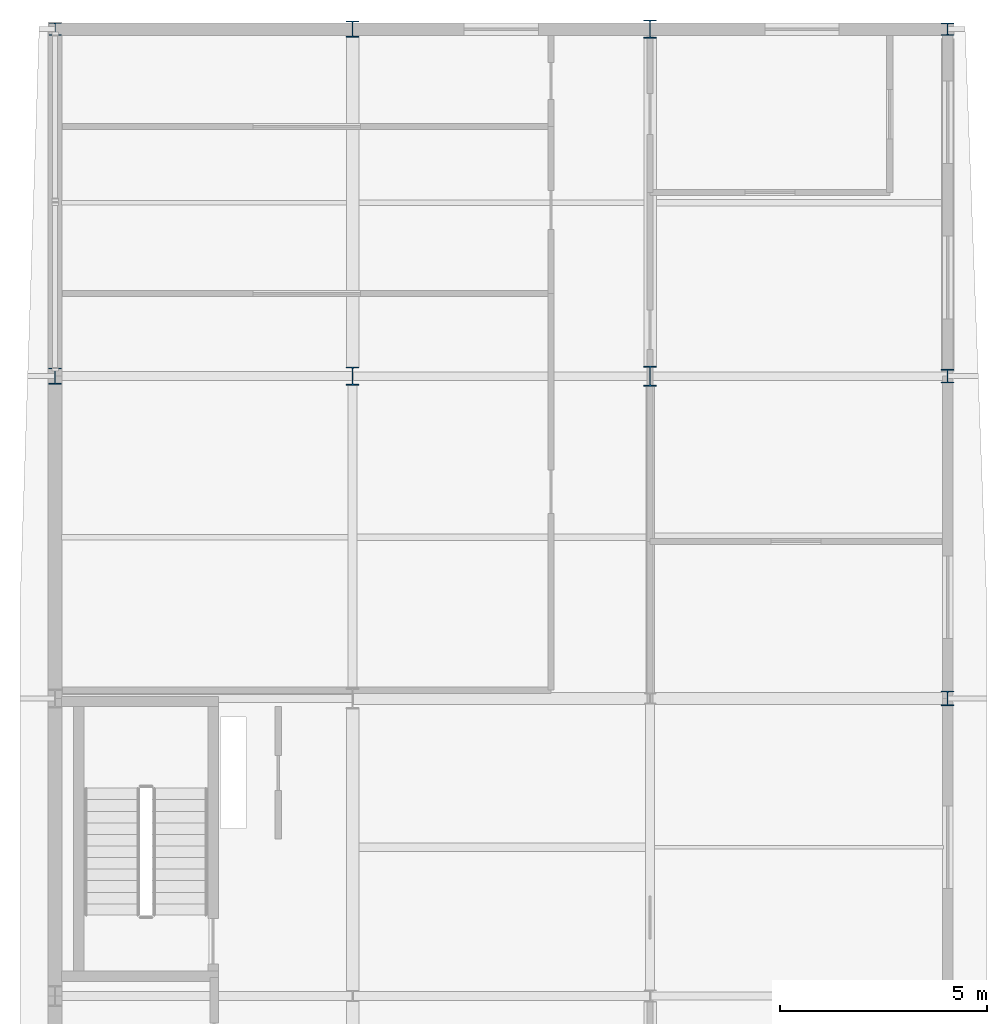
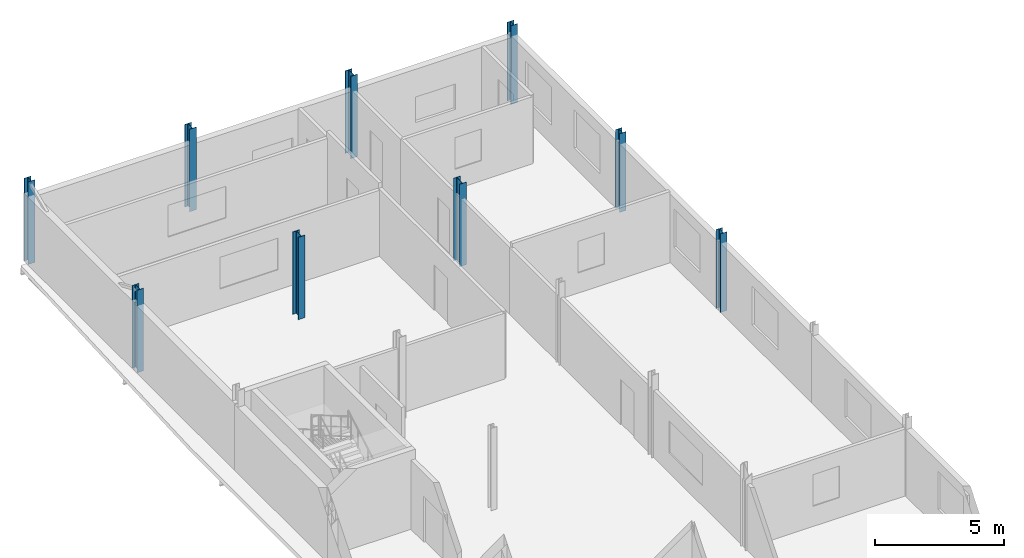
# One storey, part 4 of 16: 9 columns.
"""IFC4 building model written with IfcOpenShell, lengths in metres."""

from ifc_helpers import new_model, si_unit, direction, frame, origin, origin_2d, place, context, subcontext, project, spatial, i_section, extrude, material, material_profile, profile_set, type_object, element, save


model = new_model("IFC4")

# Units and contexts
model_context = context("Model", 3, precision=1e-05, world=origin(), true_north=direction((0.0, 1.0)))
body_context = subcontext(model_context, "Body", "Model", "MODEL_VIEW")
ifc_project = project(units=[si_unit("LENGTHUNIT", "METRE"), si_unit("AREAUNIT", "SQUARE_METRE"), si_unit("VOLUMEUNIT", "CUBIC_METRE"), si_unit("PLANEANGLEUNIT", "RADIAN"), si_unit("MASSUNIT", "GRAM", prefix="KILO")], contexts=[model_context])

# Site, building, storey
site_placement = place(None, origin())
site = spatial("IfcSite", under=ifc_project, at=site_placement, CompositionType="ELEMENT")
building_placement = place(site_placement, origin())
building = spatial("IfcBuilding", under=site, at=building_placement, Name="Vinh Khe Railworks Police Headquarters", CompositionType="ELEMENT")
storey_placement = place(building_placement, frame((0.0, 0.0, 28.800048828125)))
storey = spatial("IfcBuildingStorey", under=building, at=storey_placement, Name="L07", CompositionType="ELEMENT", Elevation=28.800048828125)

# Columns
ifc_material = material(Name="Steel S355JR", Category="steel")
ifc_material_profile_1 = material_profile(ifc_material, i_section(OverallWidth=0.300048828125, OverallDepth=0.2900390625, WebThickness=0.008544921875, FlangeThickness=0.013916015625, FilletRadius=0.027099609375, at=origin_2d()), Name="HEA 300")
ifc_profile_set_1 = profile_set([ifc_material_profile_1], Name="Steel S355JR")
column_type_1 = type_object("IfcColumnType", Name="Steel Column HEA 300", PredefinedType="COLUMN", material=ifc_profile_set_1)
column_1_placement = place(storey_placement, frame((22.199951171875, 104.39990234375, 0.0), z_axis=(0.0, 0.0, 1.0), x_axis=(1.0, 0.0, 0.0)))
element("IfcColumn", 1, at=column_1_placement, inside=storey, type_object=column_type_1, Name="Column COL-L07-SC-18-0633", PredefinedType="COLUMN", context=body_context, shape_type="SweptSolid", body=[
    extrude(i_section(OverallWidth=0.300048828125, OverallDepth=0.2900390625, WebThickness=0.008544921875, FlangeThickness=0.013916015625, FilletRadius=0.027099609375, at=origin_2d()), origin(), (0.0, 0.0, 1.0), 3.719970703125),
])
ifc_material_profile_2 = material_profile(ifc_material, i_section(OverallWidth=0.300048828125, OverallDepth=0.330078125, WebThickness=0.009521484375, FlangeThickness=0.0166015625, FilletRadius=0.027099609375, at=origin_2d()), Name="HEA 340")
ifc_profile_set_2 = profile_set([ifc_material_profile_2], Name="Steel S355JR")
column_type_2 = type_object("IfcColumnType", Name="Steel Column HEA 340", PredefinedType="COLUMN", material=ifc_profile_set_2)
column_2_placement = place(storey_placement, frame((22.199951171875, 96.0, 0.0), z_axis=(0.0, 0.0, 1.0), x_axis=(1.0, 0.0, 0.0)))
element("IfcColumn", 2, at=column_2_placement, inside=storey, type_object=column_type_2, Name="Column COL-L07-SC-17-0624", PredefinedType="COLUMN", context=body_context, shape_type="SweptSolid", body=[
    extrude(i_section(OverallWidth=0.300048828125, OverallDepth=0.330078125, WebThickness=0.009521484375, FlangeThickness=0.0166015625, FilletRadius=0.027099609375, at=origin_2d()), origin(), (0.0, 0.0, 1.0), 3.719970703125),
])
ifc_material_profile_3 = material_profile(ifc_material, i_section(OverallWidth=0.300048828125, OverallDepth=0.35009765625, WebThickness=0.010009765625, FlangeThickness=0.017578125, FilletRadius=0.027099609375, at=origin_2d()), Name="HEA 360")
ifc_profile_set_3 = profile_set([ifc_material_profile_3], Name="Steel S355JR")
column_type_3 = type_object("IfcColumnType", Name="Steel Column HEA 360", PredefinedType="COLUMN", material=ifc_profile_set_3)
column_3_placement = place(storey_placement, frame((22.199951171875, 88.199951171875, 0.0), z_axis=(0.0, 0.0, 1.0), x_axis=(1.0, 0.0, 0.0)))
element("IfcColumn", 3, at=column_3_placement, inside=storey, type_object=column_type_3, Name="Column COL-L07-SC-16-0615", PredefinedType="COLUMN", context=body_context, shape_type="SweptSolid", body=[
    extrude(i_section(OverallWidth=0.300048828125, OverallDepth=0.35009765625, WebThickness=0.010009765625, FlangeThickness=0.017578125, FilletRadius=0.027099609375, at=origin_2d()), origin(), (0.0, 0.0, 1.0), 3.719970703125),
])
ifc_material_profile_4 = material_profile(ifc_material, i_section(OverallWidth=0.300048828125, OverallDepth=0.389892578125, WebThickness=0.010986328125, FlangeThickness=0.01904296875, FilletRadius=0.027099609375, at=origin_2d()), Name="HEA 400")
ifc_profile_set_4 = profile_set([ifc_material_profile_4], Name="Steel S355JR")
column_type_4 = type_object("IfcColumnType", Name="Steel Column HEA 400", PredefinedType="COLUMN", material=ifc_profile_set_4)
for number, where, z_axis, x_axis, name in (
    (4, (0.60009765625, 96.0, 0.0), (0.0, 0.0, 1.0), (1.0, 0.0, 0.0), "Column COL-L07-SC-15-0135"),
    (5, (7.800048828125, 104.39990234375, 0.0), (0.0, 0.0, 1.0), (1.0, 0.0, 0.0), "Column COL-L07-SC-15-0312"),
):
    element("IfcColumn", number, at=place(storey_placement, frame(where, z_axis=z_axis, x_axis=x_axis)), inside=storey, type_object=column_type_4, Name=name, PredefinedType="COLUMN", context=body_context, shape_type="SweptSolid", body=[
        extrude(i_section(OverallWidth=0.300048828125, OverallDepth=0.389892578125, WebThickness=0.010986328125, FlangeThickness=0.01904296875, FilletRadius=0.027099609375, at=origin_2d()), origin(), (0.0, 0.0, 1.0), 3.89990234375),
    ])
ifc_material_profile_5 = material_profile(ifc_material, i_section(OverallWidth=0.300048828125, OverallDepth=0.43994140625, WebThickness=0.011474609375, FlangeThickness=0.02099609375, FilletRadius=0.027099609375, at=origin_2d()), Name="HEA 450")
ifc_profile_set_5 = profile_set([ifc_material_profile_5], Name="Steel S355JR")
column_type_5 = type_object("IfcColumnType", Name="Steel Column HEA 450", PredefinedType="COLUMN", material=ifc_profile_set_5)
for number, where, z_axis, x_axis, name in (
    (6, (7.800048828125, 96.0, 0.0), (0.0, 0.0, 1.0), (1.0, 0.0, 0.0), "Column COL-L07-SC-14-0302"),
    (7, (15.0, 104.39990234375, 0.0), (0.0, 0.0, 1.0), (1.0, 0.0, 0.0), "Column COL-L07-SC-14-0479"),
):
    element("IfcColumn", number, at=place(storey_placement, frame(where, z_axis=z_axis, x_axis=x_axis)), inside=storey, type_object=column_type_5, Name=name, PredefinedType="COLUMN", context=body_context, shape_type="SweptSolid", body=[
        extrude(i_section(OverallWidth=0.300048828125, OverallDepth=0.43994140625, WebThickness=0.011474609375, FlangeThickness=0.02099609375, FilletRadius=0.027099609375, at=origin_2d()), origin(), (0.0, 0.0, 1.0), 3.89990234375),
    ])
ifc_material_profile_6 = material_profile(ifc_material, i_section(OverallWidth=0.300048828125, OverallDepth=0.489990234375, WebThickness=0.011962890625, FlangeThickness=0.02294921875, FilletRadius=0.027099609375, at=origin_2d()), Name="HEA 500")
ifc_profile_set_6 = profile_set([ifc_material_profile_6], Name="Steel S355JR")
column_type_6 = type_object("IfcColumnType", Name="Steel Column HEA 500", PredefinedType="COLUMN", material=ifc_profile_set_6)
column_4_placement = place(storey_placement, frame((15.0, 96.0, 0.0), z_axis=(0.0, 0.0, 1.0), x_axis=(1.0, 0.0, 0.0)))
element("IfcColumn", 8, at=column_4_placement, inside=storey, type_object=column_type_6, Name="Column COL-L07-SC-13-0469", PredefinedType="COLUMN", context=body_context, shape_type="SweptSolid", body=[
    extrude(i_section(OverallWidth=0.300048828125, OverallDepth=0.489990234375, WebThickness=0.011962890625, FlangeThickness=0.02294921875, FilletRadius=0.027099609375, at=origin_2d()), origin(), (0.0, 0.0, 1.0), 3.89990234375),
])
ifc_material_profile_7 = material_profile(ifc_material, i_section(OverallWidth=0.300048828125, OverallDepth=0.300048828125, WebThickness=0.010986328125, FlangeThickness=0.01904296875, FilletRadius=0.027099609375, at=origin_2d()), Name="HEB 300")
ifc_profile_set_7 = profile_set([ifc_material_profile_7], Name="Steel S355JR")
column_type_7 = type_object("IfcColumnType", Name="Steel Column HEB 300", PredefinedType="COLUMN", material=ifc_profile_set_7)
column_5_placement = place(storey_placement, frame((0.60009765625, 104.39990234375, 0.0), z_axis=(0.0, 0.0, 1.0), x_axis=(1.0, 0.0, 0.0)))
element("IfcColumn", 9, at=column_5_placement, inside=storey, type_object=column_type_7, Name="Column COL-L07-SC-11-0145", PredefinedType="COLUMN", context=body_context, shape_type="SweptSolid", body=[
    extrude(i_section(OverallWidth=0.300048828125, OverallDepth=0.300048828125, WebThickness=0.010986328125, FlangeThickness=0.01904296875, FilletRadius=0.027099609375, at=origin_2d()), origin(), (0.0, 0.0, 1.0), 3.89990234375),
])

save(model, "model.ifc")
